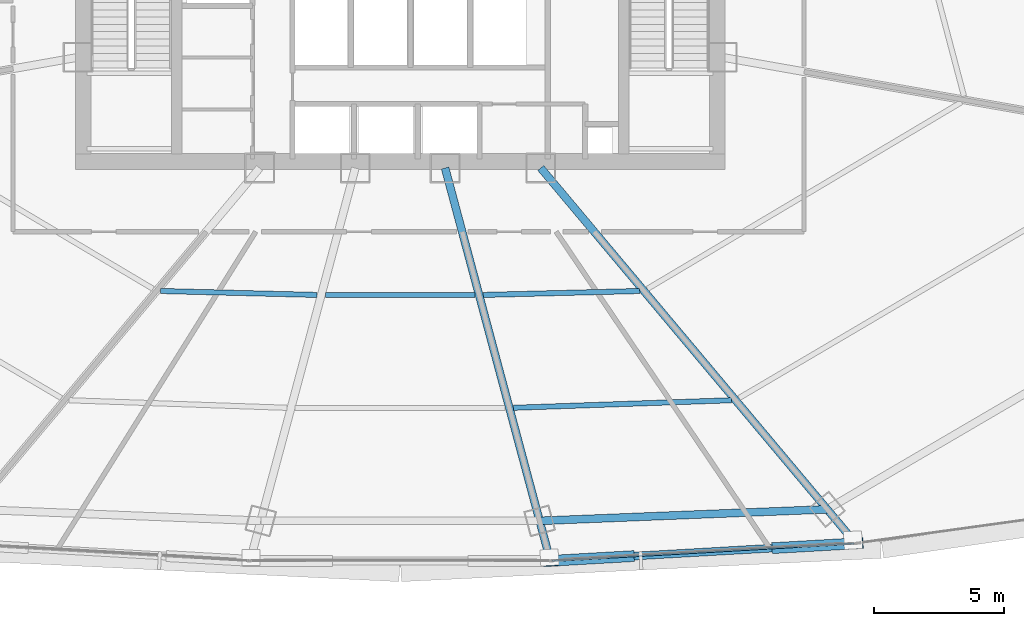
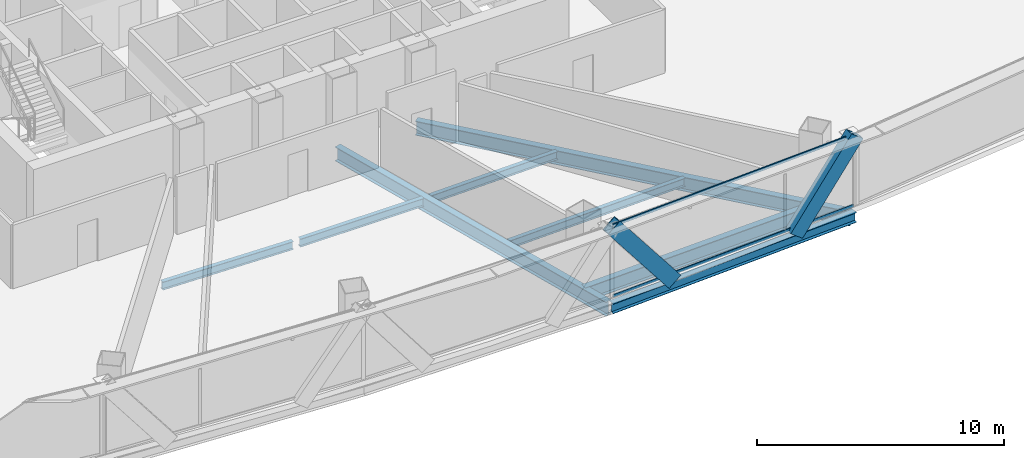
# One storey, part 11 of 36: 8 beams, 4 members, 1 element without a shape of its own.
"""IFC4 building model written with IfcOpenShell, lengths in metres."""

from ifc_helpers import new_model, si_unit, direction, frame, origin, origin_2d, place, context, subcontext, project, spatial, hollow_rectangle, i_section, extrude, source, transform, mapped, material, layer, layer_set, material_profile, profile_set, type_object, element, aggregate, save


model = new_model("IFC4")

# Units and contexts
model_context = context("Model", 3, precision=1e-05, world=origin(), true_north=direction((0.0, 1.0)))
body_context = subcontext(model_context, "Body", "Model", "MODEL_VIEW")
ifc_project = project(units=[si_unit("LENGTHUNIT", "METRE"), si_unit("AREAUNIT", "SQUARE_METRE"), si_unit("VOLUMEUNIT", "CUBIC_METRE"), si_unit("PLANEANGLEUNIT", "RADIAN"), si_unit("MASSUNIT", "GRAM", prefix="KILO"), si_unit("THERMODYNAMICTEMPERATUREUNIT", "KELVIN"), si_unit("POWERUNIT", "WATT")], contexts=[model_context])

# Site, building, storey
site_placement = place(None, origin())
site = spatial("IfcSite", under=ifc_project, at=site_placement, CompositionType="ELEMENT")
building_placement = place(site_placement, origin())
building = spatial("IfcBuilding", under=site, at=building_placement, Name="Yunzhuo Pagoda Commons", CompositionType="ELEMENT")
storey_placement = place(building_placement, frame((0.0, 0.0, 107.780029296875)))
storey = spatial("IfcBuildingStorey", under=building, at=storey_placement, Name="L27", CompositionType="ELEMENT", Elevation=107.780029296875)

# Beams
ifc_material_1 = material(Name="Structural steel Q355B", Category="steel")
ifc_material_profile_1 = material_profile(ifc_material_1, i_section(OverallWidth=0.300048828125, OverallDepth=0.699951171875, WebThickness=0.012939453125, FlangeThickness=0.02392578125, at=origin_2d()), Name="Structural steel Q355B")
ifc_profile_set_1 = profile_set([ifc_material_profile_1], Name="Structural steel Q355B")
beam_type_1 = type_object("IfcBeamType", Name="B-RG1 Beam HN 700x300x13x24", PredefinedType="BEAM", material=ifc_profile_set_1)
shared_shape_1 = source(origin(), body_context, "Body", "SweptSolid", [
    extrude(i_section(OverallWidth=0.300048828125, OverallDepth=0.699951171875, WebThickness=0.012939453125, FlangeThickness=0.02392578125, at=origin_2d()), origin(), (0.0, 0.0, 1.0), 11.077392578125),
])
beam_1_placement = place(storey_placement, frame((53.367431640625, 13.66845703125, -0.610107421875), z_axis=(0.999196975427, 0.040067496776, 0.0), x_axis=(-0.040067496776, 0.999196975427, 0.0)))
element("IfcBeam", 1, at=beam_1_placement, inside=storey, type_object=beam_type_1, Name="L27 column-ring beam 3", PredefinedType="BEAM", context=body_context, shape_type="MappedRepresentation", body=[
    mapped(shared_shape_1, transform((0.0, 0.0, 0.0), scale=1.0)),
])
ifc_material_profile_2 = material_profile(ifc_material_1, i_section(OverallWidth=0.199951171875, OverallDepth=0.39990234375, WebThickness=0.008056640625, FlangeThickness=0.012939453125, at=origin_2d()), Name="Structural steel Q355B")
ifc_profile_set_2 = profile_set([ifc_material_profile_2], Name="Structural steel Q355B")
beam_type_2 = type_object("IfcBeamType", Name="B-JS1 Joist HN 400x200x8x13", PredefinedType="JOIST", material=ifc_profile_set_2)
shared_shape_2 = source(origin(), body_context, "Body", "SweptSolid", [
    extrude(i_section(OverallWidth=0.199951171875, OverallDepth=0.39990234375, WebThickness=0.008056640625, FlangeThickness=0.012939453125, at=origin_2d()), origin(), (0.0, 0.0, 1.0), 6.026611328125),
])
for number, where, z_axis, x_axis, name in (
    (2, (38.778076171875, 22.516357421875, -0.4599609375), (0.99968248871, -0.025197654009, 0.0), (0.025197654009, 0.99968248871, 0.0), "L27 composite ring joist 1.1"),
    (3, (51.197265625, 22.364501953125, -0.4599609375), (0.99968248871, 0.025197654009, 0.0), (-0.025197654009, 0.99968248871, 0.0), "L27 composite ring joist 1.3"),
):
    element("IfcBeam", number, at=place(storey_placement, frame(where, z_axis=z_axis, x_axis=x_axis)), inside=storey, type_object=beam_type_2, Name=name, PredefinedType="JOIST", context=body_context, shape_type="MappedRepresentation", body=[
        mapped(shared_shape_2, transform((0.0, 0.0, 0.0), scale=1.0)),
    ])
shared_shape_3 = source(origin(), body_context, "Body", "SweptSolid", [
    extrude(i_section(OverallWidth=0.199951171875, OverallDepth=0.39990234375, WebThickness=0.008056640625, FlangeThickness=0.012939453125, at=origin_2d()), origin(), (0.0, 0.0, 1.0), 8.392822265625),
])
beam_2_placement = place(storey_placement, frame((52.36181640625, 18.020263671875, -0.4599609375), z_axis=(0.999400667027, 0.034616567521, 0.0), x_axis=(-0.034616567521, 0.999400667027, 0.0)))
element("IfcBeam", 4, at=beam_2_placement, inside=storey, type_object=beam_type_2, Name="L27 composite ring joist 2.3", PredefinedType="JOIST", context=body_context, shape_type="MappedRepresentation", body=[
    mapped(shared_shape_3, transform((0.0, 0.0, 0.0), scale=1.0)),
])
shared_shape_4 = source(origin(), body_context, "Body", "SweptSolid", [
    extrude(i_section(OverallWidth=0.199951171875, OverallDepth=0.39990234375, WebThickness=0.008056640625, FlangeThickness=0.012939453125, at=origin_2d()), origin(), (0.0, 0.0, 1.0), 5.7587890625),
])
beam_3_placement = place(storey_placement, frame((45.120849609375, 22.360595703125, -0.4599609375), z_axis=(1.0, 0.0, 0.0), x_axis=(0.0, 1.0, 0.0)))
element("IfcBeam", 5, at=beam_3_placement, inside=storey, type_object=beam_type_2, Name="L27 composite ring joist 1.2", PredefinedType="JOIST", context=body_context, shape_type="MappedRepresentation", body=[
    mapped(shared_shape_4, transform((0.0, 0.0, 0.0), scale=1.0)),
])
shared_shape_5 = source(origin(), body_context, "Body", "SweptSolid", [
    extrude(i_section(OverallWidth=0.300048828125, OverallDepth=0.699951171875, WebThickness=0.012939453125, FlangeThickness=0.02392578125, at=origin_2d()), origin(), (0.0, 0.0, 1.0), 18.70703125),
])
beam_4_placement = place(storey_placement, frame((65.436767578125, 12.919677734375, -0.610107421875), z_axis=(-0.642790435283, 0.766042072154, 0.0), x_axis=(-0.766042072154, -0.642790435283, 0.0)))
element("IfcBeam", 6, at=beam_4_placement, inside=storey, type_object=beam_type_1, Name="L27 radial floor girder F1C4", PredefinedType="BEAM", context=body_context, shape_type="MappedRepresentation", body=[
    mapped(shared_shape_5, transform((0.0, 0.0, 0.0), scale=1.0)),
])
shared_shape_6 = source(origin(), body_context, "Body", "SweptSolid", [
    extrude(i_section(OverallWidth=0.300048828125, OverallDepth=0.699951171875, WebThickness=0.012939453125, FlangeThickness=0.02392578125, at=origin_2d()), origin(), (0.0, 0.0, 1.0), 15.50048828125),
])
beam_5_placement = place(storey_placement, frame((53.739990234375, 12.277587890625, -0.610107421875), z_axis=(-0.258796706154, 0.965931811715, 0.0), x_axis=(-0.965931811715, -0.258796706154, 0.0)))
element("IfcBeam", 7, at=beam_5_placement, inside=storey, type_object=beam_type_1, Name="L27 radial floor girder F1C3", PredefinedType="BEAM", context=body_context, shape_type="MappedRepresentation", body=[
    mapped(shared_shape_6, transform((0.0, 0.0, 0.0), scale=1.0)),
])
ifc_material_profile_3 = material_profile(ifc_material_1, i_section(OverallWidth=0.300048828125, OverallDepth=0.488037109375, WebThickness=0.010986328125, FlangeThickness=0.01806640625, at=origin_2d()), Name="Structural steel Q355B")
ifc_profile_set_3 = profile_set([ifc_material_profile_3], Name="Structural steel Q355B")
beam_type_3 = type_object("IfcBeamType", Name="B-SP1 Beam HM 488x300x11x18", PredefinedType="BEAM", material=ifc_profile_set_3)
shared_shape_7 = source(origin(), body_context, "Body", "SweptSolid", [
    extrude(i_section(OverallWidth=0.300048828125, OverallDepth=0.488037109375, WebThickness=0.010986328125, FlangeThickness=0.01806640625, at=origin_2d()), origin(), (0.0, 0.0, 1.0), 11.775390625),
])
beam_6_placement = place(storey_placement, frame((53.7802734375, 12.1279296875, -0.504150390625), z_axis=(0.998366134329, 0.057140719503, 0.0), x_axis=(-0.057140719503, 0.998366134329, 0.0)))
element("IfcBeam", 8, at=beam_6_placement, inside=storey, type_object=beam_type_3, Name="L27 facade edge spandrel beam F1.3", PredefinedType="BEAM", context=body_context, shape_type="MappedRepresentation", body=[
    mapped(shared_shape_7, transform((0.0, 0.0, 0.0), scale=1.0)),
])

# Members
ifc_material_2 = material(Name="Structural steel Q420B", Category="steel")
ifc_material_profile_4 = material_profile(ifc_material_2, hollow_rectangle(XDim=0.419921875, YDim=0.719970703125, WallThickness=0.028076171875, at=origin_2d()), Name="Structural steel Q420B")
ifc_profile_set_4 = profile_set([ifc_material_profile_4], Name="Structural steel Q420B")
member_type_1 = type_object("IfcMemberType", Name="M-DL1 Brace BOX 720x420x28", PredefinedType="BRACE", material=ifc_profile_set_4)
shared_shape_8 = source(origin(), body_context, "Body", "SweptSolid", [
    extrude(hollow_rectangle(XDim=0.419921875, YDim=0.719970703125, WallThickness=0.028076171875, at=origin_2d()), origin(), (0.0, 0.0, 1.0), 4.806640625),
])
for number, where, z_axis, x_axis, name in (
    (9, (56.71923828125, 12.296142578125, -0.259765625), (-0.611431406817, -0.034995534084, 0.79052321114), (0.057141902302, -0.998366066632, 0.0), "L27 facade diamond brace F1.3L"),
    (10, (62.597412109375, 12.632568359375, -0.259765625), (0.611431406817, 0.034995534084, 0.79052321114), (-0.057141902302, 0.998366066632, 0.0), "L27 facade diamond brace F1.3R"),
):
    element("IfcMember", number, at=place(storey_placement, frame(where, z_axis=z_axis, x_axis=x_axis)), inside=storey, type_object=member_type_1, Name=name, PredefinedType="BRACE", context=body_context, shape_type="MappedRepresentation", body=[
        mapped(shared_shape_8, transform((0.0, 0.0, 0.0), scale=1.0)),
    ])

# Curtain wall, members
ifc_material_3 = material(Name="Anodized aluminium 6063-T6", Category="aluminium")
ifc_layer = layer(ifc_material_3, 0.1650390625)
ifc_layer_set = layer_set([ifc_layer], Name="Anodized aluminium 6063-T6")
curtain_wall_type = type_object("IfcCurtainWallType", Name="CW-LOW Low-Zone Ribbon Curtain Wall", PredefinedType="NOTDEFINED", material=ifc_layer_set)
curtain_wall_placement = place(storey_placement, origin())
curtain_wall = element("IfcCurtainWall", 11, at=curtain_wall_placement, inside=storey, type_object=curtain_wall_type, Name="L27 curtain wall CW-L27-F1B4", PredefinedType="NOTDEFINED")
ifc_material_profile_5 = material_profile(ifc_material_3, hollow_rectangle(XDim=0.06005859375, YDim=0.139892578125, WallThickness=0.00341796875, at=origin_2d()), Name="Anodized aluminium 6063-T6")
ifc_profile_set_5 = profile_set([ifc_material_profile_5], Name="Anodized aluminium 6063-T6")
member_type_2 = type_object("IfcMemberType", Name="CW-LOW-T Transom RHS 140x60x3.5", PredefinedType="USERDEFINED", material=ifc_profile_set_5)
shared_shape_9 = source(origin(), body_context, "Body", "SweptSolid", [
    extrude(hollow_rectangle(XDim=0.06005859375, YDim=0.139892578125, WallThickness=0.00341796875, at=origin_2d()), origin(), (0.0, 0.0, 1.0), 11.6455078125),
])
member_1_placement = place(storey_placement, frame((53.84521484375, 12.131591796875, 0.030029296875), z_axis=(0.998365666223, 0.057148897697, 0.0), x_axis=(-0.057148897697, 0.998365666223, 0.0)))
member_1 = element("IfcMember", 12, at=member_1_placement, type_object=member_type_2, Name="CW transom 1.1", ObjectType="TRANSOM", PredefinedType="USERDEFINED", context=body_context, shape_type="MappedRepresentation", body=[
    mapped(shared_shape_9, transform((0.0, 0.0, 0.0), scale=1.0)),
])
member_2_placement = place(storey_placement, frame((53.84521484375, 12.131591796875, 3.510009765625), z_axis=(0.998365666223, 0.057148897697, 0.0), x_axis=(-0.057148897697, 0.998365666223, 0.0)))
member_2 = element("IfcMember", 13, at=member_2_placement, type_object=member_type_2, Name="CW transom 1.2", ObjectType="TRANSOM", PredefinedType="USERDEFINED", context=body_context, shape_type="MappedRepresentation", body=[
    mapped(shared_shape_9, transform((0.0, 0.0, 0.0), scale=1.0)),
])
aggregate(curtain_wall, [member_1, member_2])

save(model, "model.ifc")
